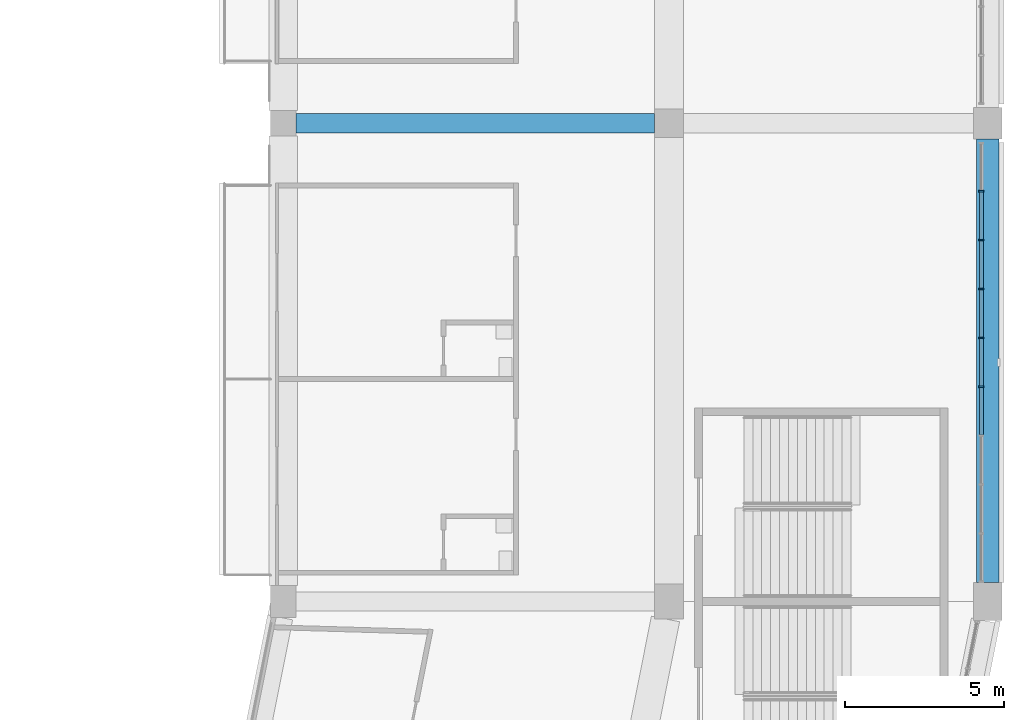
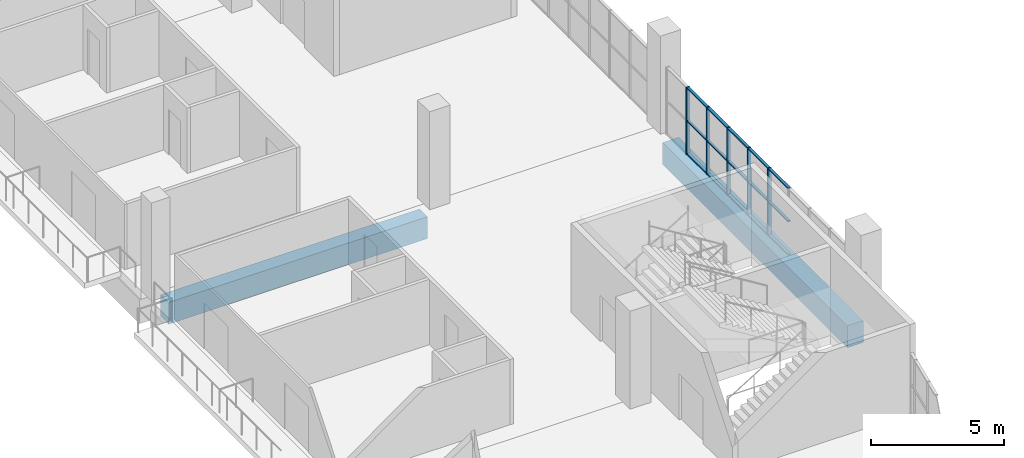
# One storey, part 27 of 199: 20 members, 2 beams, 1 element without a shape of its own.
"""IFC4 building model written with IfcOpenShell, lengths in metres."""

from ifc_helpers import new_model, si_unit, direction, frame, origin, origin_2d, place, context, subcontext, project, spatial, rectangle, extrude, material, material_profile, profile_set, type_object, element, aggregate, save


model = new_model("IFC4")

# Units and contexts
model_context = context("Model", 3, precision=1e-05, world=origin(), true_north=direction((0.0, 1.0)))
body_context = subcontext(model_context, "Body", "Model", "MODEL_VIEW")
ifc_project = project(units=[si_unit("LENGTHUNIT", "METRE"), si_unit("AREAUNIT", "SQUARE_METRE"), si_unit("VOLUMEUNIT", "CUBIC_METRE"), si_unit("PLANEANGLEUNIT", "RADIAN"), si_unit("MASSUNIT", "GRAM", prefix="KILO")], contexts=[model_context])

# Site, building, storey
site_placement = place(None, origin())
site = spatial("IfcSite", under=ifc_project, at=site_placement, CompositionType="ELEMENT")
building_placement = place(site_placement, origin())
building = spatial("IfcBuilding", under=site, at=building_placement, Name="Ogive Plaza Stadium", CompositionType="ELEMENT")
storey_placement = place(building_placement, frame((0.0, 0.0, 9.0)))
storey = spatial("IfcBuildingStorey", under=building, at=storey_placement, Name="L02", CompositionType="ELEMENT", Elevation=9.0)

# Curtain wall, members
ifc_material_1 = material(Name="Bronze-anodised aluminium with laminated glass", Category="aluminium")
curtain_wall_type = type_object("IfcCurtainWallType", Name="Lancet curtain wall", PredefinedType="NOTDEFINED", material=ifc_material_1)
curtain_wall_placement = place(storey_placement, origin())
curtain_wall = element("IfcCurtainWall", 1, at=curtain_wall_placement, inside=storey, type_object=curtain_wall_type, Name="CURTAIN WALL B07 L02", PredefinedType="NOTDEFINED")
ifc_material_2 = material(Name="Bronze-anodised aluminium", Category="aluminium")
ifc_material_profile_1 = material_profile(ifc_material_2, rectangle(XDim=0.14990234375, YDim=0.050048828125, at=origin_2d()), Name="AL 150x50")
ifc_profile_set_1 = profile_set([ifc_material_profile_1], Name="Bronze-anodised aluminium")
member_type_1 = type_object("IfcMemberType", Name="Curtain wall mullion 50x150", PredefinedType="MULLION", material=ifc_profile_set_1)
member_1_placement = place(storey_placement, frame((83.800048828125, -39.63330078125, 0.0), z_axis=(0.0, 0.0, 1.0), x_axis=(1.0, 0.0, 0.0)))
member_1 = element("IfcMember", 2, at=member_1_placement, type_object=member_type_1, Name="CW-B07-L02 mullion 2", PredefinedType="MULLION", context=body_context, shape_type="SweptSolid", body=[
    extrude(rectangle(XDim=0.14990234375, YDim=0.050048828125, at=origin_2d()), origin(), (0.0, 0.0, 1.0), 3.090087890625),
])
member_2_placement = place(storey_placement, frame((83.800048828125, -41.166748046875, 0.0), z_axis=(0.0, 0.0, 1.0), x_axis=(1.0, 0.0, 0.0)))
member_2 = element("IfcMember", 3, at=member_2_placement, type_object=member_type_1, Name="CW-B07-L02 mullion 3", PredefinedType="MULLION", context=body_context, shape_type="SweptSolid", body=[
    extrude(rectangle(XDim=0.14990234375, YDim=0.050048828125, at=origin_2d()), origin(), (0.0, 0.0, 1.0), 3.090087890625),
])
member_3_placement = place(storey_placement, frame((83.800048828125, -42.699951171875, 0.0), z_axis=(0.0, 0.0, 1.0), x_axis=(1.0, 0.0, 0.0)))
member_3 = element("IfcMember", 4, at=member_3_placement, type_object=member_type_1, Name="CW-B07-L02 mullion 4", PredefinedType="MULLION", context=body_context, shape_type="SweptSolid", body=[
    extrude(rectangle(XDim=0.14990234375, YDim=0.050048828125, at=origin_2d()), origin(), (0.0, 0.0, 1.0), 3.090087890625),
])
member_4_placement = place(storey_placement, frame((83.800048828125, -44.2333984375, 0.0), z_axis=(0.0, 0.0, 1.0), x_axis=(1.0, 0.0, 0.0)))
member_4 = element("IfcMember", 5, at=member_4_placement, type_object=member_type_1, Name="CW-B07-L02 mullion 5", PredefinedType="MULLION", context=body_context, shape_type="SweptSolid", body=[
    extrude(rectangle(XDim=0.14990234375, YDim=0.050048828125, at=origin_2d()), origin(), (0.0, 0.0, 1.0), 3.090087890625),
])
member_5_placement = place(storey_placement, frame((83.800048828125, -45.7666015625, 0.0), z_axis=(0.0, 0.0, 1.0), x_axis=(1.0, 0.0, 0.0)))
member_5 = element("IfcMember", 6, at=member_5_placement, type_object=member_type_1, Name="CW-B07-L02 mullion 6", PredefinedType="MULLION", context=body_context, shape_type="SweptSolid", body=[
    extrude(rectangle(XDim=0.14990234375, YDim=0.050048828125, at=origin_2d()), origin(), (0.0, 0.0, 1.0), 3.090087890625),
])
ifc_material_3 = material(Name="Bronze-anodised aluminium", Category="aluminium")
ifc_material_profile_2 = material_profile(ifc_material_3, rectangle(XDim=0.1201171875, YDim=0.050048828125, at=origin_2d()), Name="AL 120x50")
ifc_profile_set_2 = profile_set([ifc_material_profile_2], Name="Bronze-anodised aluminium")
member_type_2 = type_object("IfcMemberType", Name="Curtain wall transom 50x120", PredefinedType="USERDEFINED", material=ifc_profile_set_2)
member_6_placement = place(storey_placement, frame((83.800048828125, -39.658447265625, 0.02490234375), z_axis=(0.0, -1.0, 0.0), x_axis=(1.0, 0.0, 0.0)))
member_6 = element("IfcMember", 7, at=member_6_placement, type_object=member_type_2, Name="CW-B07-L02 transom 2.1", ObjectType="TRANSOM", PredefinedType="USERDEFINED", context=body_context, shape_type="SweptSolid", body=[
    extrude(rectangle(XDim=0.1201171875, YDim=0.050048828125, at=origin_2d()), origin(), (0.0, 0.0, 1.0), 1.483154296875),
])
member_7_placement = place(storey_placement, frame((83.800048828125, -39.658447265625, 1.544921875), z_axis=(0.0, -1.0, 0.0), x_axis=(1.0, 0.0, 0.0)))
member_7 = element("IfcMember", 8, at=member_7_placement, type_object=member_type_2, Name="CW-B07-L02 transom 2.2", ObjectType="TRANSOM", PredefinedType="USERDEFINED", context=body_context, shape_type="SweptSolid", body=[
    extrude(rectangle(XDim=0.1201171875, YDim=0.050048828125, at=origin_2d()), origin(), (0.0, 0.0, 1.0), 1.483154296875),
])
member_8_placement = place(storey_placement, frame((83.800048828125, -39.658447265625, 3.06494140625), z_axis=(0.0, -1.0, 0.0), x_axis=(1.0, 0.0, 0.0)))
member_8 = element("IfcMember", 9, at=member_8_placement, type_object=member_type_2, Name="CW-B07-L02 transom 2.3", ObjectType="TRANSOM", PredefinedType="USERDEFINED", context=body_context, shape_type="SweptSolid", body=[
    extrude(rectangle(XDim=0.1201171875, YDim=0.050048828125, at=origin_2d()), origin(), (0.0, 0.0, 1.0), 1.483154296875),
])
member_9_placement = place(storey_placement, frame((83.800048828125, -41.191650390625, 0.02490234375), z_axis=(0.0, -1.0, 0.0), x_axis=(1.0, 0.0, 0.0)))
member_9 = element("IfcMember", 10, at=member_9_placement, type_object=member_type_2, Name="CW-B07-L02 transom 3.1", ObjectType="TRANSOM", PredefinedType="USERDEFINED", context=body_context, shape_type="SweptSolid", body=[
    extrude(rectangle(XDim=0.1201171875, YDim=0.050048828125, at=origin_2d()), origin(), (0.0, 0.0, 1.0), 1.4833984375),
])
member_10_placement = place(storey_placement, frame((83.800048828125, -41.191650390625, 1.544921875), z_axis=(0.0, -1.0, 0.0), x_axis=(1.0, 0.0, 0.0)))
member_10 = element("IfcMember", 11, at=member_10_placement, type_object=member_type_2, Name="CW-B07-L02 transom 3.2", ObjectType="TRANSOM", PredefinedType="USERDEFINED", context=body_context, shape_type="SweptSolid", body=[
    extrude(rectangle(XDim=0.1201171875, YDim=0.050048828125, at=origin_2d()), origin(), (0.0, 0.0, 1.0), 1.4833984375),
])
member_11_placement = place(storey_placement, frame((83.800048828125, -41.191650390625, 3.06494140625), z_axis=(0.0, -1.0, 0.0), x_axis=(1.0, 0.0, 0.0)))
member_11 = element("IfcMember", 12, at=member_11_placement, type_object=member_type_2, Name="CW-B07-L02 transom 3.3", ObjectType="TRANSOM", PredefinedType="USERDEFINED", context=body_context, shape_type="SweptSolid", body=[
    extrude(rectangle(XDim=0.1201171875, YDim=0.050048828125, at=origin_2d()), origin(), (0.0, 0.0, 1.0), 1.4833984375),
])
member_12_placement = place(storey_placement, frame((83.800048828125, -42.72509765625, 0.02490234375), z_axis=(0.0, -1.0, 0.0), x_axis=(1.0, 0.0, 0.0)))
member_12 = element("IfcMember", 13, at=member_12_placement, type_object=member_type_2, Name="CW-B07-L02 transom 4.1", ObjectType="TRANSOM", PredefinedType="USERDEFINED", context=body_context, shape_type="SweptSolid", body=[
    extrude(rectangle(XDim=0.1201171875, YDim=0.050048828125, at=origin_2d()), origin(), (0.0, 0.0, 1.0), 1.483154296875),
])
member_13_placement = place(storey_placement, frame((83.800048828125, -42.72509765625, 1.544921875), z_axis=(0.0, -1.0, 0.0), x_axis=(1.0, 0.0, 0.0)))
member_13 = element("IfcMember", 14, at=member_13_placement, type_object=member_type_2, Name="CW-B07-L02 transom 4.2", ObjectType="TRANSOM", PredefinedType="USERDEFINED", context=body_context, shape_type="SweptSolid", body=[
    extrude(rectangle(XDim=0.1201171875, YDim=0.050048828125, at=origin_2d()), origin(), (0.0, 0.0, 1.0), 1.483154296875),
])
member_14_placement = place(storey_placement, frame((83.800048828125, -42.72509765625, 3.06494140625), z_axis=(0.0, -1.0, 0.0), x_axis=(1.0, 0.0, 0.0)))
member_14 = element("IfcMember", 15, at=member_14_placement, type_object=member_type_2, Name="CW-B07-L02 transom 4.3", ObjectType="TRANSOM", PredefinedType="USERDEFINED", context=body_context, shape_type="SweptSolid", body=[
    extrude(rectangle(XDim=0.1201171875, YDim=0.050048828125, at=origin_2d()), origin(), (0.0, 0.0, 1.0), 1.483154296875),
])
member_15_placement = place(storey_placement, frame((83.800048828125, -44.25830078125, 0.02490234375), z_axis=(0.0, -1.0, 0.0), x_axis=(1.0, 0.0, 0.0)))
member_15 = element("IfcMember", 16, at=member_15_placement, type_object=member_type_2, Name="CW-B07-L02 transom 5.1", ObjectType="TRANSOM", PredefinedType="USERDEFINED", context=body_context, shape_type="SweptSolid", body=[
    extrude(rectangle(XDim=0.1201171875, YDim=0.050048828125, at=origin_2d()), origin(), (0.0, 0.0, 1.0), 1.4833984375),
])
member_16_placement = place(storey_placement, frame((83.800048828125, -44.25830078125, 1.544921875), z_axis=(0.0, -1.0, 0.0), x_axis=(1.0, 0.0, 0.0)))
member_16 = element("IfcMember", 17, at=member_16_placement, type_object=member_type_2, Name="CW-B07-L02 transom 5.2", ObjectType="TRANSOM", PredefinedType="USERDEFINED", context=body_context, shape_type="SweptSolid", body=[
    extrude(rectangle(XDim=0.1201171875, YDim=0.050048828125, at=origin_2d()), origin(), (0.0, 0.0, 1.0), 1.4833984375),
])
member_17_placement = place(storey_placement, frame((83.800048828125, -44.25830078125, 3.06494140625), z_axis=(0.0, -1.0, 0.0), x_axis=(1.0, 0.0, 0.0)))
member_17 = element("IfcMember", 18, at=member_17_placement, type_object=member_type_2, Name="CW-B07-L02 transom 5.3", ObjectType="TRANSOM", PredefinedType="USERDEFINED", context=body_context, shape_type="SweptSolid", body=[
    extrude(rectangle(XDim=0.1201171875, YDim=0.050048828125, at=origin_2d()), origin(), (0.0, 0.0, 1.0), 1.4833984375),
])
member_18_placement = place(storey_placement, frame((83.800048828125, -45.791748046875, 0.02490234375), z_axis=(0.0, -1.0, 0.0), x_axis=(1.0, 0.0, 0.0)))
member_18 = element("IfcMember", 19, at=member_18_placement, type_object=member_type_2, Name="CW-B07-L02 transom 6.1", ObjectType="TRANSOM", PredefinedType="USERDEFINED", context=body_context, shape_type="SweptSolid", body=[
    extrude(rectangle(XDim=0.1201171875, YDim=0.050048828125, at=origin_2d()), origin(), (0.0, 0.0, 1.0), 1.483154296875),
])
member_19_placement = place(storey_placement, frame((83.800048828125, -45.791748046875, 1.544921875), z_axis=(0.0, -1.0, 0.0), x_axis=(1.0, 0.0, 0.0)))
member_19 = element("IfcMember", 20, at=member_19_placement, type_object=member_type_2, Name="CW-B07-L02 transom 6.2", ObjectType="TRANSOM", PredefinedType="USERDEFINED", context=body_context, shape_type="SweptSolid", body=[
    extrude(rectangle(XDim=0.1201171875, YDim=0.050048828125, at=origin_2d()), origin(), (0.0, 0.0, 1.0), 1.483154296875),
])
member_20_placement = place(storey_placement, frame((83.800048828125, -45.791748046875, 3.06494140625), z_axis=(0.0, -1.0, 0.0), x_axis=(1.0, 0.0, 0.0)))
member_20 = element("IfcMember", 21, at=member_20_placement, type_object=member_type_2, Name="CW-B07-L02 transom 6.3", ObjectType="TRANSOM", PredefinedType="USERDEFINED", context=body_context, shape_type="SweptSolid", body=[
    extrude(rectangle(XDim=0.1201171875, YDim=0.050048828125, at=origin_2d()), origin(), (0.0, 0.0, 1.0), 1.483154296875),
])
aggregate(curtain_wall, [member_1, member_2, member_3, member_4, member_5, member_6, member_7, member_8, member_9, member_10, member_11, member_12, member_13, member_14, member_15, member_16, member_17, member_18, member_19, member_20])

# Beams
ifc_material_4 = material(Name="Concrete C40/50", Category="concrete")
ifc_material_profile_3 = material_profile(ifc_material_4, rectangle(XDim=0.60009765625, YDim=1.0, at=origin_2d()), Name="RC 600x1000")
ifc_profile_set_3 = profile_set([ifc_material_profile_3], Name="Concrete C40/50")
beam_type_1 = type_object("IfcBeamType", Name="RC radial beam 600x1000", PredefinedType="BEAM", material=ifc_profile_set_3)
beam_1_placement = place(storey_placement, frame((62.300048828125, -37.5, -0.909912109375), z_axis=(1.0, 0.0, 0.0), x_axis=(0.0, 1.0, 0.0)))
element("IfcBeam", 22, at=beam_1_placement, inside=storey, type_object=beam_type_1, Name="Radial beam L02 R07 F3F4", PredefinedType="BEAM", context=body_context, shape_type="SweptSolid", body=[
    extrude(rectangle(XDim=0.60009765625, YDim=1.0, at=origin_2d()), origin(), (0.0, 0.0, 1.0), 11.25),
])
ifc_material_5 = material(Name="Concrete C40/50", Category="concrete")
ifc_material_profile_4 = material_profile(ifc_material_5, rectangle(XDim=0.699951171875, YDim=1.0, at=origin_2d()), Name="RC 700x1000")
ifc_profile_set_4 = profile_set([ifc_material_profile_4], Name="Concrete C40/50")
beam_type_2 = type_object("IfcBeamType", Name="RC spandrel beam 700x1000", PredefinedType="SPANDREL", material=ifc_profile_set_4)
beam_2_placement = place(storey_placement, frame((84.0, -38.0, -0.909912109375), z_axis=(0.0, -1.0, 0.0), x_axis=(1.0, 0.0, 0.0)))
element("IfcBeam", 23, at=beam_2_placement, inside=storey, type_object=beam_type_2, Name="Ring beam F5 L02 B07", PredefinedType="SPANDREL", context=body_context, shape_type="SweptSolid", body=[
    extrude(rectangle(XDim=0.699951171875, YDim=1.0, at=origin_2d()), origin(), (0.0, 0.0, 1.0), 13.89990234375),
])

save(model, "model.ifc")
